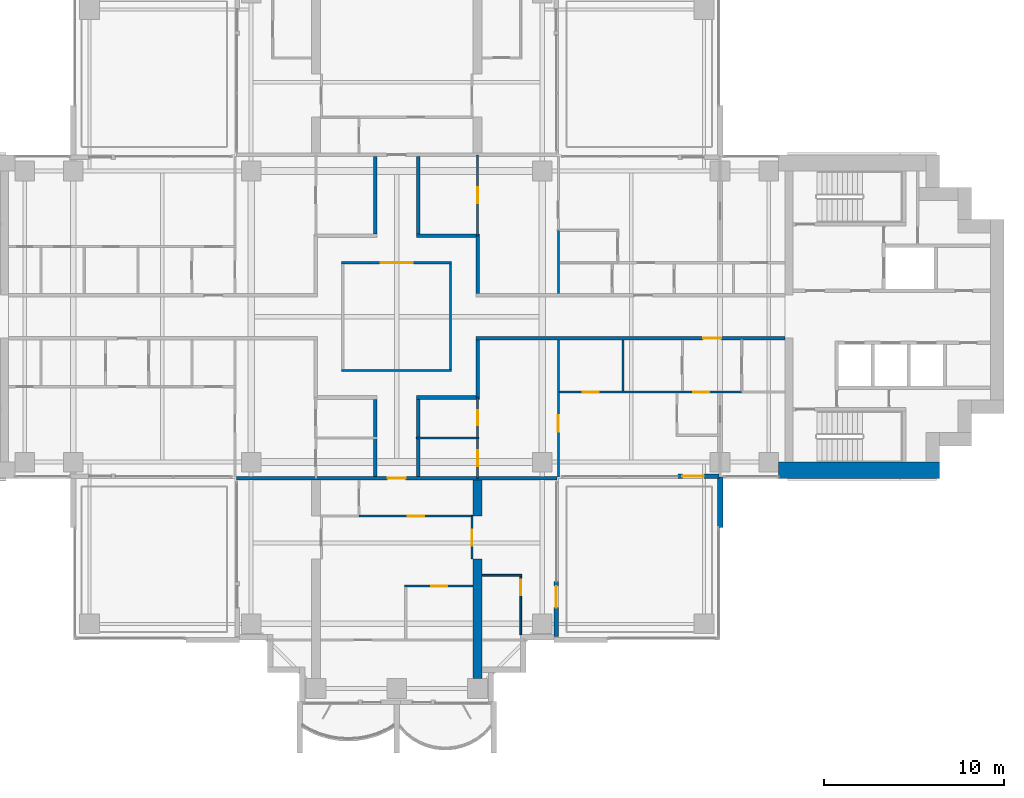
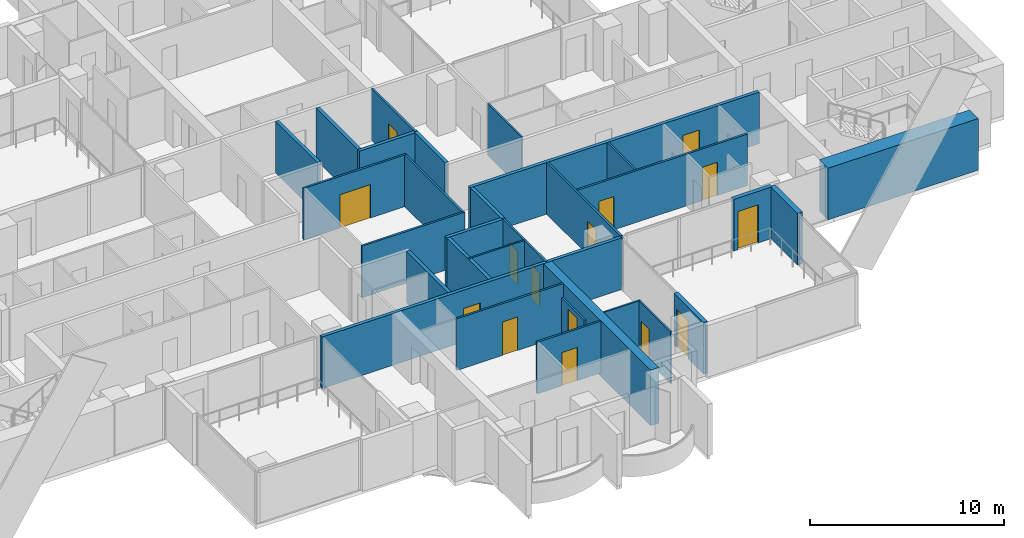
# One storey, part 11 of 19: 31 walls, 15 doors, 15 openings.
"""IFC4 building model written with IfcOpenShell, lengths in metres."""

import ifcopenshell
import ifcopenshell.guid

model = None  # the IFC model being written
_history = None  # IfcOwnerHistory: only IFC2X3 demands one
_inside = {}  # id of a spatial element -> (the spatial element, [elements in it])
_under = {}  # id of a project, library or spatial element -> (it, [spatial elements below it])
_declared = {}  # id of a project -> (the project, [libraries it declares])
_typed = {}  # id of a type object -> (the type object, [elements of that type])
_made_of = {}  # id of a material, layer set ... -> (it, [elements and type objects made of it])


def new_model(schema):
    """Start an empty IFC model of exactly this schema.

    Asked for "IFC4X3", IfcOpenShell would pick the latest addendum, in which some entities
    have other attributes; the version numbers below select the first issue.
    IFC2X3 requires an IfcOwnerHistory on every rooted entity: one is made here for all.
    """
    global model, _history
    if schema == "IFC4X3":
        model = ifcopenshell.file(schema_version=(4, 3, 0, 0))
    else:
        model = ifcopenshell.file(schema=schema)
    _inside.clear()
    _under.clear()
    _declared.clear()
    _typed.clear()
    _made_of.clear()
    _history = None
    if model.schema == "IFC2X3":
        org = make("IfcOrganization", Name="unknown")
        user = make(
            "IfcPersonAndOrganization",
            ThePerson=make("IfcPerson", FamilyName="unknown"),
            TheOrganization=org,
        )
        app = make(
            "IfcApplication",
            ApplicationDeveloper=org,
            Version="unknown",
            ApplicationFullName="unknown",
            ApplicationIdentifier="unknown",
        )
        _history = make(
            "IfcOwnerHistory",
            OwningUser=user,
            OwningApplication=app,
            ChangeAction="ADDED",
            CreationDate=0,
        )
    return model


def make(cls, **values):
    """One entity of the class cls with the attributes given. An attribute that is None is left unset."""
    return model.create_entity(
        cls, **{name: value for name, value in values.items() if value is not None}
    )


def rooted(cls, **values):
    """An entity with a GlobalId (a new one), such as an element, a storey or a relation."""
    return make(cls, GlobalId=ifcopenshell.guid.new(), OwnerHistory=_history, **values)


def si_unit(unit_type, name, prefix=None):
    """IfcSIUnit, for example si_unit("LENGTHUNIT", "METRE", prefix="MILLI")."""
    return make("IfcSIUnit", UnitType=unit_type, Prefix=prefix, Name=name)


def assignment(units):
    """IfcUnitAssignment: the units of a project."""
    return None if units is None else make("IfcUnitAssignment", Units=units)


def point(xyz):
    """IfcCartesianPoint."""
    return None if xyz is None else make("IfcCartesianPoint", Coordinates=xyz)


def direction(xyz):
    """IfcDirection."""
    return None if xyz is None else make("IfcDirection", DirectionRatios=xyz)


def frame(location, z_axis=None, x_axis=None):
    """IfcAxis2Placement3D, a coordinate frame: its origin and axes. An axis left out is left unset."""
    return make(
        "IfcAxis2Placement3D",
        Location=point(location),
        Axis=direction(z_axis),
        RefDirection=direction(x_axis),
    )


def frame_2d(location, x_axis=None):
    """IfcAxis2Placement2D, a coordinate frame in the plane: its origin and x axis."""
    return make(
        "IfcAxis2Placement2D", Location=point(location), RefDirection=direction(x_axis)
    )


def origin():
    """The frame at (0, 0, 0) with its axes left unset."""
    return frame((0.0, 0.0, 0.0))


def place(relative_to, where):
    """IfcLocalPlacement: puts the frame where relative to a parent placement (None: the world)."""
    return make(
        "IfcLocalPlacement", PlacementRelTo=relative_to, RelativePlacement=where
    )


def context(
    kind, dimensions, precision=None, world=None, true_north=None, identifier=None
):
    """IfcGeometricRepresentationContext, for example the 3D "Model" context."""
    return make(
        "IfcGeometricRepresentationContext",
        ContextIdentifier=identifier,
        ContextType=kind,
        CoordinateSpaceDimension=dimensions,
        Precision=precision,
        WorldCoordinateSystem=world,
        TrueNorth=true_north,
    )


def subcontext(parent, identifier, kind, view, scale=None):
    """IfcGeometricRepresentationSubContext, for example "Body" below "Model"."""
    return make(
        "IfcGeometricRepresentationSubContext",
        ContextIdentifier=identifier,
        ContextType=kind,
        ParentContext=parent,
        TargetScale=scale,
        TargetView=view,
    )


def project(units=None, contexts=None):
    """IfcProject with its units and contexts."""
    return rooted(
        "IfcProject",
        Name="project",
        RepresentationContexts=contexts,
        UnitsInContext=assignment(units),
    )


def spatial(cls, under=None, at=None, **own):
    """A site, building, storey or space (cls), placed at a placement, below another one or the project."""
    s = rooted(cls, ObjectPlacement=at, **own)
    if under is not None:
        _under.setdefault(under.id(), (under, []))[1].append(s)
    return s


def polyline(points):
    """IfcPolyline through the points."""
    return make("IfcPolyline", Points=[point(p) for p in points])


def profile(cls, at=None, kind="AREA", **sizes):
    """A parametric profile (cls). Its sizes go by their IFC names, for example OverallWidth=200.0."""
    return make(cls, ProfileType=kind, Position=at, **sizes)


def rectangle(**sizes):
    """IfcRectangleProfileDef."""
    return profile("IfcRectangleProfileDef", **sizes)


def outline(outer, holes=None, kind="AREA"):
    """IfcArbitraryClosedProfileDef: a profile drawn as a closed curve; with holes, ...WithVoids."""
    if holes is None:
        return make("IfcArbitraryClosedProfileDef", ProfileType=kind, OuterCurve=outer)
    return make(
        "IfcArbitraryProfileDefWithVoids",
        ProfileType=kind,
        OuterCurve=outer,
        InnerCurves=holes,
    )


def extrude(swept, where, along, depth):
    """IfcExtrudedAreaSolid: the profile swept, set in the frame where, extruded along a direction by depth."""
    return make(
        "IfcExtrudedAreaSolid",
        SweptArea=swept,
        Position=where,
        ExtrudedDirection=direction(along),
        Depth=depth,
    )


def shape(context_of_items, identifier, shape_type, items):
    """IfcShapeRepresentation: the items that make up one representation, for example the "Body"."""
    return make(
        "IfcShapeRepresentation",
        ContextOfItems=context_of_items,
        RepresentationIdentifier=identifier,
        RepresentationType=shape_type,
        Items=items,
    )


def material(Name=None, Category=None):
    """IfcMaterial."""
    return make("IfcMaterial", Name=Name, Category=Category)


def layer(
    of_material, thickness, ventilated=None, Name=None, Category=None, Priority=None
):
    """IfcMaterialLayer: one layer of a wall or slab, of a material (None: an air gap)."""
    return make(
        "IfcMaterialLayer",
        Material=of_material,
        LayerThickness=thickness,
        IsVentilated=ventilated,
        Name=Name,
        Category=Category,
        Priority=Priority,
    )


def layer_set(layers, Name=None):
    """IfcMaterialLayerSet."""
    return make("IfcMaterialLayerSet", MaterialLayers=layers, LayerSetName=Name)


def material_profile(
    of_material, cross_section, Name=None, Category=None, Priority=None
):
    """IfcMaterialProfile: a cross section and its material."""
    return make(
        "IfcMaterialProfile",
        Name=Name,
        Material=of_material,
        Profile=cross_section,
        Priority=Priority,
        Category=Category,
    )


def profile_set(profiles, Name=None, composite=None):
    """IfcMaterialProfileSet."""
    return make(
        "IfcMaterialProfileSet",
        Name=Name,
        MaterialProfiles=profiles,
        CompositeProfile=composite,
    )


def made_of(thing, what):
    """Note that an element or type object is made of a material, layer set ...; save() writes the relation."""
    if what is not None:
        _made_of.setdefault(what.id(), (what, []))[1].append(thing)
    return thing


def type_object(cls, material=None, **own):
    """A type object (cls), such as IfcWallType, which elements share."""
    return made_of(rooted(cls, **own), material)


def element(
    cls,
    number,
    at=None,
    inside=None,
    cuts=None,
    type_object=None,
    material=None,
    context=None,
    identifier="Body",
    shape_type=None,
    held_by="IfcProductDefinitionShape",
    body=None,
    shapes=None,
    **own,
):
    """One element of the class cls, such as IfcWall. Its Tag is "e" and its number.

    at: its placement. inside: the storey or other place that contains it. cuts: it is an
    opening in that element (IfcRelVoidsElement). A single representation is given by context,
    identifier, shape_type and body (its items); several are given by shapes. held_by: the class
    of the entity that holds the representations. save() writes the other relations.
    """
    e = rooted(cls, Tag="e%d" % number, ObjectPlacement=at, **own)
    if body is not None:
        shapes = [shape(context, identifier, shape_type, body)]
    if shapes is not None:
        e.Representation = make(held_by, Representations=shapes)
    if inside is not None:
        _inside.setdefault(inside.id(), (inside, []))[1].append(e)
    if cuts is not None:
        rooted(
            "IfcRelVoidsElement", RelatingBuildingElement=cuts, RelatedOpeningElement=e
        )
    if type_object is not None:
        _typed.setdefault(type_object.id(), (type_object, []))[1].append(e)
    return made_of(e, material)


def fill(opening, filler):
    """IfcRelFillsElement: the door or window that sits in an opening."""
    return rooted(
        "IfcRelFillsElement",
        RelatingOpeningElement=opening,
        RelatedBuildingElement=filler,
    )


def aggregate(whole, parts):
    """IfcRelAggregates: a whole, such as a stair, and the parts it consists of."""
    return rooted("IfcRelAggregates", RelatingObject=whole, RelatedObjects=parts)


def save(model, path):
    """Write the relations noted so far, then the file.

    IfcRelAggregates (storeys below a building ...), IfcRelContainedInSpatialStructure (elements
    in a storey), IfcRelDefinesByType, IfcRelAssociatesMaterial and IfcRelDeclares: one each for
    every whole, place, type object, material and project.
    """
    for whole, parts in _under.values():
        aggregate(whole, parts)
    for where, things in _inside.values():
        rooted(
            "IfcRelContainedInSpatialStructure",
            RelatedElements=things,
            RelatingStructure=where,
        )
    for kind, things in _typed.values():
        rooted("IfcRelDefinesByType", RelatedObjects=things, RelatingType=kind)
    for what, things in _made_of.values():
        rooted("IfcRelAssociatesMaterial", RelatedObjects=things, RelatingMaterial=what)
    for by, libraries in _declared.values():
        rooted("IfcRelDeclares", RelatingContext=by, RelatedDefinitions=libraries)
    model.write(path)


model = new_model("IFC4")

# Units and contexts
model_context = context("Model", 3, precision=1e-05, world=origin(), true_north=direction((0.0, 1.0)))
body_context = subcontext(model_context, "Body", "Model", "MODEL_VIEW")
ifc_project = project(units=[si_unit("LENGTHUNIT", "METRE"), si_unit("AREAUNIT", "SQUARE_METRE"), si_unit("VOLUMEUNIT", "CUBIC_METRE"), si_unit("PLANEANGLEUNIT", "RADIAN"), si_unit("MASSUNIT", "GRAM", prefix="KILO")], contexts=[model_context])

# Site, building, storey
site_placement = place(None, origin())
site = spatial("IfcSite", under=ifc_project, at=site_placement, CompositionType="ELEMENT")
building_placement = place(site_placement, origin())
building = spatial("IfcBuilding", under=site, at=building_placement, Name="Perihelion Cross Residences", CompositionType="ELEMENT")
storey_placement = place(building_placement, frame((0.0, 0.0, 147.89990234375)))
storey = spatial("IfcBuildingStorey", under=building, at=storey_placement, Name="L36", CompositionType="ELEMENT", Elevation=147.89990234375)

# Walls
ifc_material_1 = material(Name="Plasterboard partition")
ifc_layer_1 = layer(ifc_material_1, 0.199951171875)
ifc_layer_set_1 = layer_set([ifc_layer_1], Name="Apartment separation wall 200")
wall_type_1 = type_object("IfcWallType", Name="Apartment separation wall 200", PredefinedType="PARTITIONING", material=ifc_layer_set_1)
wall_1_placement = place(storey_placement, frame((4.5, 4.5, 0.0), z_axis=(0.0, 0.0, 1.0), x_axis=(0.0, -1.0, 0.0)))
element("IfcWall", 1, at=wall_1_placement, inside=storey, type_object=wall_type_1, Name="Partition L36 W006", PredefinedType="PARTITIONING", context=body_context, shape_type="SweptSolid", body=[
    extrude(rectangle(XDim=3.199951171875, YDim=0.199951171875, at=frame_2d((1.60009765625, 0.0))), origin(), (0.0, 0.0, 1.0), 3.25),
])
wall_2_placement = place(storey_placement, frame((1.199951171875, 8.89990234375, 0.0), z_axis=(0.0, 0.0, 1.0), x_axis=(0.0, -1.0, 0.0)))
element("IfcWall", 2, at=wall_2_placement, inside=storey, type_object=wall_type_1, Name="Partition L36 W007", PredefinedType="PARTITIONING", context=body_context, shape_type="SweptSolid", body=[
    extrude(rectangle(XDim=4.2998046875, YDim=0.199951171875, at=frame_2d((2.14990234375, 0.0))), origin(), (0.0, 0.0, 1.0), 3.25),
])
wall_3_placement = place(storey_placement, frame((1.10009765625, 4.5, 0.0), z_axis=(0.0, 0.0, 1.0), x_axis=(1.0, 0.0, 0.0)))
element("IfcWall", 3, at=wall_3_placement, inside=storey, type_object=wall_type_1, Name="Partition L36 W008", PredefinedType="PARTITIONING", context=body_context, shape_type="SweptSolid", body=[
    extrude(rectangle(XDim=3.5, YDim=0.199951171875, at=frame_2d((1.75, 0.0))), origin(), (0.0, 0.0, 1.0), 3.25),
])

# Wall, opening, door
wall_4_placement = place(storey_placement, frame((21.60009765625, -1.199951171875, 0.0), z_axis=(0.0, 0.0, 1.0), x_axis=(-1.0, 0.0, 0.0)))
wall_4 = element("IfcWall", 4, at=wall_4_placement, inside=storey, type_object=wall_type_1, Name="Partition L36 W009", PredefinedType="PARTITIONING", context=body_context, shape_type="SweptSolid", body=[
    extrude(rectangle(XDim=17.2001953125, YDim=0.199951171875, at=frame_2d((8.60009765625, 0.0))), origin(), (0.0, 0.0, 1.0), 3.25),
])
opening_1_placement = place(wall_4_placement, frame((3.550048828125, 0.0, 0.0)))
opening_1 = element("IfcOpeningElement", 5, at=opening_1_placement, cuts=wall_4, Name="Opening L36.A51", PredefinedType="OPENING", context=body_context, shape_type="SweptSolid", body=[
    extrude(rectangle(XDim=1.0, YDim=2.10009765625, at=frame_2d((0.5, 1.050048828125))), frame((0.0, 0.10986328125, 0.0), z_axis=(0.0, -1.0, 0.0), x_axis=(1.0, 0.0, 0.0)), (0.0, 0.0, 1.0), 0.219970703125),
])
ifc_material_2 = material(Name="Timber door leaf", Category="wood")
door_type_1 = type_object("IfcDoorType", Name="Flat entrance door 1000 x 2100", OperationType="SINGLE_SWING_LEFT", PredefinedType="DOOR", material=ifc_material_2)
door_1_placement = place(opening_1_placement, origin())
door_1 = element("IfcDoor", 6, at=door_1_placement, inside=storey, type_object=door_type_1, Name="Door L36.A51", OperationType="SINGLE_SWING_LEFT", OverallHeight=2.10009765625, OverallWidth=1.0, PredefinedType="DOOR", context=body_context, shape_type="SweptSolid", body=[
    extrude(rectangle(XDim=1.0, YDim=2.10009765625, at=frame_2d((0.5, 1.050048828125))), frame((0.0, 0.02490234375, 0.0), z_axis=(0.0, -1.0, 0.0), x_axis=(1.0, 0.0, 0.0)), (0.0, 0.0, 1.0), 0.050048828125),
])
fill(opening_1, door_1)

# Walls
wall_5_placement = place(storey_placement, frame((4.5, -1.300048828125, 0.0), z_axis=(0.0, 0.0, 1.0), x_axis=(0.0, -1.0, 0.0)))
element("IfcWall", 7, at=wall_5_placement, inside=storey, type_object=wall_type_1, Name="Partition L36 W010", PredefinedType="PARTITIONING", context=body_context, shape_type="SweptSolid", body=[
    extrude(rectangle(XDim=3.199951171875, YDim=0.199951171875, at=frame_2d((1.60009765625, 0.0))), origin(), (0.0, 0.0, 1.0), 3.25),
])
wall_6_placement = place(storey_placement, frame((4.60009765625, -4.5, 0.0), z_axis=(0.0, 0.0, 1.0), x_axis=(-1.0, 0.0, 0.0)))
element("IfcWall", 8, at=wall_6_placement, inside=storey, type_object=wall_type_1, Name="Partition L36 W011", PredefinedType="PARTITIONING", context=body_context, shape_type="SweptSolid", body=[
    extrude(rectangle(XDim=3.5, YDim=0.199951171875, at=frame_2d((1.75, 0.0))), origin(), (0.0, 0.0, 1.0), 3.25),
])
for number, where, z_axis, x_axis, name in (
    (9, (1.199951171875, -4.60009765625, 0.0), (0.0, 0.0, 1.0), (0.0, -1.0, 0.0), "Partition L36 W012"),
    (10, (-1.199951171875, 4.60009765625, 0.0), (0.0, 0.0, 1.0), (0.0, 1.0, 0.0), "Partition L36 W016"),
    (11, (-1.199951171875, -8.89990234375, 0.0), (0.0, 0.0, 1.0), (0.0, 1.0, 0.0), "Partition L36 W019"),
):
    element("IfcWall", number, at=place(storey_placement, frame(where, z_axis=z_axis, x_axis=x_axis)), inside=storey, type_object=wall_type_1, Name=name, PredefinedType="PARTITIONING", context=body_context, shape_type="SweptSolid", body=[
        extrude(rectangle(XDim=4.2998046875, YDim=0.199951171875, at=frame_2d((2.14990234375, 0.0))), origin(), (0.0, 0.0, 1.0), 3.25),
    ])

# Wall, opening, door
wall_7_placement = place(storey_placement, frame((8.919921875, -9.0, 0.0), z_axis=(0.0, 0.0, 1.0), x_axis=(-1.0, 0.0, 0.0)))
wall_7 = element("IfcWall", 12, at=wall_7_placement, inside=storey, type_object=wall_type_1, Name="Partition L36 W022", PredefinedType="PARTITIONING", context=body_context, shape_type="SweptSolid", body=[
    extrude(rectangle(XDim=17.83984375, YDim=0.199951171875, at=frame_2d((8.919921875, 0.0))), origin(), (0.0, 0.0, 1.0), 3.25),
])
opening_2_placement = place(wall_7_placement, frame((8.419921875, 0.0, 0.0)))
opening_2 = element("IfcOpeningElement", 13, at=opening_2_placement, cuts=wall_7, Name="Opening L36.A44", PredefinedType="OPENING", context=body_context, shape_type="SweptSolid", body=[
    extrude(rectangle(XDim=1.0, YDim=2.10009765625, at=frame_2d((0.5, 1.050048828125))), frame((0.0, 0.10986328125, 0.0), z_axis=(0.0, -1.0, 0.0), x_axis=(1.0, 0.0, 0.0)), (0.0, 0.0, 1.0), 0.219970703125),
])
door_2_placement = place(opening_2_placement, origin())
door_2 = element("IfcDoor", 14, at=door_2_placement, inside=storey, type_object=door_type_1, Name="Door L36.A44", OperationType="SINGLE_SWING_RIGHT", OverallHeight=2.10009765625, OverallWidth=1.0, PredefinedType="DOOR", context=body_context, shape_type="SweptSolid", body=[
    extrude(rectangle(XDim=1.0, YDim=2.10009765625, at=frame_2d((0.5, 1.050048828125))), frame((0.0, 0.02490234375, 0.0), z_axis=(0.0, -1.0, 0.0), x_axis=(1.0, 0.0, 0.0)), (0.0, 0.0, 1.0), 0.050048828125),
])
fill(opening_2, door_2)

ifc_material_3 = material(Name="Concrete C30/37, bronze-clad", Category="concrete")
ifc_layer_2 = layer(ifc_material_3, 0.25)
ifc_layer_set_2 = layer_set([ifc_layer_2], Name="Bronze-clad pier wall 250")
wall_type_2 = type_object("IfcWallType", Name="Bronze-clad pier wall 250", PredefinedType="SOLIDWALL", material=ifc_layer_set_2)
wall_8_placement = place(storey_placement, frame((8.875, -17.800048828125, 0.0), z_axis=(0.0, 0.0, 1.0), x_axis=(0.0, 1.0, 0.0)))
wall_8 = element("IfcWall", 15, at=wall_8_placement, inside=storey, type_object=wall_type_2, Name="Wall FW1 L36 south side east bay 1 pier", PredefinedType="SOLIDWALL", context=body_context, shape_type="SweptSolid", body=[
    extrude(rectangle(XDim=3.050048828125, YDim=0.25, at=frame_2d((1.52490234375, 0.0))), origin(), (0.0, 0.0, 1.0), 3.25),
])
opening_3_placement = place(wall_8_placement, frame((1.60009765625, 0.0, 0.0)))
opening_3 = element("IfcOpeningElement", 16, at=opening_3_placement, cuts=wall_8, Name="Opening L36.E13", PredefinedType="OPENING", context=body_context, shape_type="SweptSolid", body=[
    extrude(rectangle(XDim=1.199951171875, YDim=2.39990234375, at=frame_2d((0.60009765625, 1.199951171875))), frame((0.0, 0.135009765625, 0.0), z_axis=(0.0, -1.0, 0.0), x_axis=(1.0, 0.0, 0.0)), (0.0, 0.0, 1.0), 0.27001953125),
])
ifc_material_4 = material(Name="Bronze anodised aluminium, glazed", Category="aluminium")
door_type_2 = type_object("IfcDoorType", Name="Balcony door 1200 x 2400", OperationType="NOTDEFINED", PredefinedType="DOOR", material=ifc_material_4)
door_3_placement = place(opening_3_placement, origin())
door_3 = element("IfcDoor", 17, at=door_3_placement, inside=storey, type_object=door_type_2, Name="Door L36.E13 south side east bay 1", OperationType="SINGLE_SWING_RIGHT", OverallHeight=2.39990234375, OverallWidth=1.199951171875, PredefinedType="DOOR", context=body_context, shape_type="SweptSolid", body=[
    extrude(rectangle(XDim=1.199951171875, YDim=2.39990234375, at=frame_2d((0.60009765625, 1.199951171875))), frame((0.0, 0.02490234375, 0.0), z_axis=(0.0, -1.0, 0.0), x_axis=(1.0, 0.0, 0.0)), (0.0, 0.0, 1.0), 0.050048828125),
])
fill(opening_3, door_3)

wall_9_placement = place(storey_placement, frame((15.64990234375, -8.875, 0.0), z_axis=(0.0, 0.0, 1.0), x_axis=(1.0, 0.0, 0.0)))
wall_9 = element("IfcWall", 18, at=wall_9_placement, inside=storey, type_object=wall_type_2, Name="Wall FW1 L36 east side south bay 1 pier", PredefinedType="SOLIDWALL", context=body_context, shape_type="SweptSolid", body=[
    extrude(rectangle(XDim=2.2900390625, YDim=0.25, at=frame_2d((1.14501953125, 0.0))), origin(), (0.0, 0.0, 1.0), 3.25),
])
opening_4_placement = place(wall_9_placement, frame((0.25, 0.0, 0.0)))
opening_4 = element("IfcOpeningElement", 19, at=opening_4_placement, cuts=wall_9, Name="Opening L36.E14", PredefinedType="OPENING", context=body_context, shape_type="SweptSolid", body=[
    extrude(rectangle(XDim=1.199951171875, YDim=2.39990234375, at=frame_2d((0.60009765625, 1.199951171875))), frame((0.0, 0.135009765625, 0.0), z_axis=(0.0, -1.0, 0.0), x_axis=(1.0, 0.0, 0.0)), (0.0, 0.0, 1.0), 0.27001953125),
])
door_4_placement = place(opening_4_placement, origin())
door_4 = element("IfcDoor", 20, at=door_4_placement, inside=storey, type_object=door_type_2, Name="Door L36.E14 east side south bay 1", OperationType="SINGLE_SWING_LEFT", OverallHeight=2.39990234375, OverallWidth=1.199951171875, PredefinedType="DOOR", context=body_context, shape_type="SweptSolid", body=[
    extrude(rectangle(XDim=1.199951171875, YDim=2.39990234375, at=frame_2d((0.60009765625, 1.199951171875))), frame((0.0, 0.02490234375, 0.0), z_axis=(0.0, -1.0, 0.0), x_axis=(1.0, 0.0, 0.0)), (0.0, 0.0, 1.0), 0.050048828125),
])
fill(opening_4, door_4)

# Wall
ifc_material_5 = material(Name="Concrete C60/75", Category="concrete")
ifc_layer_3 = layer(ifc_material_5, 0.89990234375)
ifc_layer_set_3 = layer_set([ifc_layer_3], Name="Core wall, outer 900")
wall_type_3 = type_object("IfcWallType", Name="Core wall, outer 900", PredefinedType="SHEAR", material=ifc_layer_set_3)
wall_10_placement = place(storey_placement, frame((21.25, -8.550048828125, 0.0), z_axis=(0.0, 0.0, 1.0), x_axis=(1.0, 0.0, 0.0)))
element("IfcWall", 21, at=wall_10_placement, inside=storey, type_object=wall_type_3, Name="East core core wall, outer", PredefinedType="SHEAR", context=body_context, shape_type="SweptSolid", body=[
    extrude(rectangle(XDim=8.949951171875, YDim=0.89990234375, at=frame_2d((4.47509765625, 0.0))), origin(), (0.0, 0.0, 1.0), 3.25),
])

# Wall, opening, door
ifc_material_6 = material(Name="Plasterboard partition")
ifc_layer_4 = layer(ifc_material_6, 0.1201171875)
ifc_layer_set_4 = layer_set([ifc_layer_4], Name="Infill panel 120")
wall_type_4 = type_object("IfcWallType", Name="Infill panel 120", PredefinedType="PARTITIONING", material=ifc_layer_set_4)
wall_11_placement = place(storey_placement, frame((4.18994140625, -11.10009765625, 0.0), z_axis=(0.0, 0.0, 1.0), x_axis=(0.0, -1.0, 0.0)))
wall_11 = element("IfcWall", 22, at=wall_11_placement, inside=storey, type_object=wall_type_4, Name="Partition L36 WI05", PredefinedType="PARTITIONING", context=body_context, shape_type="SweptSolid", body=[
    extrude(rectangle(XDim=2.39990234375, YDim=0.1201171875, at=frame_2d((1.199951171875, 0.0))), origin(), (0.0, 0.0, 1.0), 2.400146484375),
])
opening_5_placement = place(wall_11_placement, frame((0.75, 0.0, 0.0)))
opening_5 = element("IfcOpeningElement", 23, at=opening_5_placement, cuts=wall_11, Name="Opening L36.A58", PredefinedType="OPENING", context=body_context, shape_type="SweptSolid", body=[
    extrude(rectangle(XDim=0.89990234375, YDim=2.10009765625, at=frame_2d((0.449951171875, 1.050048828125))), frame((0.0, 0.070068359375, 0.0), z_axis=(0.0, -1.0, 0.0), x_axis=(1.0, 0.0, 0.0)), (0.0, 0.0, 1.0), 0.14013671875),
])
ifc_material_7 = material(Name="Timber door leaf", Category="wood")
door_type_3 = type_object("IfcDoorType", Name="Interior room door 900 x 2100", OperationType="SINGLE_SWING_LEFT", PredefinedType="DOOR", material=ifc_material_7)
door_5_placement = place(opening_5_placement, origin())
door_5 = element("IfcDoor", 24, at=door_5_placement, inside=storey, type_object=door_type_3, Name="Door L36.A58", OperationType="SINGLE_SWING_LEFT", OverallHeight=2.10009765625, OverallWidth=0.89990234375, PredefinedType="DOOR", context=body_context, shape_type="SweptSolid", body=[
    extrude(rectangle(XDim=0.89990234375, YDim=2.10009765625, at=frame_2d((0.449951171875, 1.050048828125))), frame((0.0, 0.02490234375, 0.0), z_axis=(0.0, -1.0, 0.0), x_axis=(1.0, 0.0, 0.0)), (0.0, 0.0, 1.0), 0.050048828125),
])
fill(opening_5, door_5)

# Walls
ifc_material_8 = material(Name="Plasterboard partition")
ifc_layer_5 = layer(ifc_material_8, 0.1201171875)
ifc_layer_set_5 = layer_set([ifc_layer_5], Name="Partition wall 120")
wall_type_5 = type_object("IfcWallType", Name="Partition wall 120", PredefinedType="PARTITIONING", material=ifc_layer_set_5)
wall_12_placement = place(storey_placement, frame((-3.06005859375, -3.0, 0.0), z_axis=(0.0, 0.0, 1.0), x_axis=(1.0, 0.0, 0.0)))
element("IfcWall", 25, at=wall_12_placement, inside=storey, type_object=wall_type_5, Name="Partition L36 W001", PredefinedType="PARTITIONING", context=body_context, shape_type="SweptSolid", body=[
    extrude(rectangle(XDim=6.1201171875, YDim=0.1201171875, at=frame_2d((3.06005859375, 0.0))), origin(), (0.0, 0.0, 1.0), 3.25),
])
wall_13_placement = place(storey_placement, frame((3.0, -2.93994140625, 0.0), z_axis=(0.0, 0.0, 1.0), x_axis=(0.0, 1.0, 0.0)))
element("IfcWall", 26, at=wall_13_placement, inside=storey, type_object=wall_type_5, Name="Partition L36 W002", PredefinedType="PARTITIONING", context=body_context, shape_type="SweptSolid", body=[
    extrude(rectangle(XDim=5.8798828125, YDim=0.1201171875, at=frame_2d((2.93994140625, 0.0))), origin(), (0.0, 0.0, 1.0), 3.25),
])

# Wall, opening, door
wall_14_placement = place(storey_placement, frame((3.06005859375, 3.0, 0.0), z_axis=(0.0, 0.0, 1.0), x_axis=(-1.0, 0.0, 0.0)))
wall_14 = element("IfcWall", 27, at=wall_14_placement, inside=storey, type_object=wall_type_5, Name="Partition L36 W003", PredefinedType="PARTITIONING", context=body_context, shape_type="SweptSolid", body=[
    extrude(rectangle(XDim=6.1201171875, YDim=0.1201171875, at=frame_2d((3.06005859375, 0.0))), origin(), (0.0, 0.0, 1.0), 3.25),
])
opening_6_placement = place(wall_14_placement, frame((2.159912109375, 0.0, 0.0)))
opening_6 = element("IfcOpeningElement", 28, at=opening_6_placement, cuts=wall_14, Name="Opening L36.A01", PredefinedType="OPENING", context=body_context, shape_type="SweptSolid", body=[
    extrude(rectangle(XDim=1.800048828125, YDim=2.10009765625, at=frame_2d((0.89990234375, 1.050048828125))), frame((0.0, 0.070068359375, 0.0), z_axis=(0.0, -1.0, 0.0), x_axis=(1.0, 0.0, 0.0)), (0.0, 0.0, 1.0), 0.14013671875),
])
ifc_material_9 = material(Name="Glazed timber door leaf", Category="wood")
door_type_4 = type_object("IfcDoorType", Name="Interior double leaf door 1800 x 2100", OperationType="DOUBLE_DOOR_SINGLE_SWING", PredefinedType="DOOR", material=ifc_material_9)
door_6_placement = place(opening_6_placement, origin())
door_6 = element("IfcDoor", 29, at=door_6_placement, inside=storey, type_object=door_type_4, Name="Door L36.A01", OperationType="SINGLE_SWING_LEFT", OverallHeight=2.10009765625, OverallWidth=1.800048828125, PredefinedType="DOOR", context=body_context, shape_type="SweptSolid", body=[
    extrude(rectangle(XDim=1.800048828125, YDim=2.10009765625, at=frame_2d((0.89990234375, 1.050048828125))), frame((0.0, 0.02490234375, 0.0), z_axis=(0.0, -1.0, 0.0), x_axis=(1.0, 0.0, 0.0)), (0.0, 0.0, 1.0), 0.050048828125),
])
fill(opening_6, door_6)

wall_15_placement = place(storey_placement, frame((4.5, 4.5, 0.0), z_axis=(0.0, 0.0, 1.0), x_axis=(0.0, 1.0, 0.0)))
wall_15 = element("IfcWall", 30, at=wall_15_placement, inside=storey, type_object=wall_type_5, Name="Partition L36 W033", PredefinedType="PARTITIONING", context=body_context, shape_type="SweptSolid", body=[
    extrude(rectangle(XDim=4.5, YDim=0.1201171875, at=frame_2d((2.25, 0.0))), origin(), (0.0, 0.0, 1.0), 3.25),
])
opening_7_placement = place(wall_15_placement, frame((1.800048828125, 0.0, 0.0)))
opening_7 = element("IfcOpeningElement", 31, at=opening_7_placement, cuts=wall_15, Name="Opening L36.A03", PredefinedType="OPENING", context=body_context, shape_type="SweptSolid", body=[
    extrude(rectangle(XDim=0.89990234375, YDim=2.10009765625, at=frame_2d((0.449951171875, 1.050048828125))), frame((0.0, 0.070068359375, 0.0), z_axis=(0.0, -1.0, 0.0), x_axis=(1.0, 0.0, 0.0)), (0.0, 0.0, 1.0), 0.14013671875),
])
door_7_placement = place(opening_7_placement, origin())
door_7 = element("IfcDoor", 32, at=door_7_placement, inside=storey, type_object=door_type_3, Name="Door L36.A03", OperationType="SINGLE_SWING_LEFT", OverallHeight=2.10009765625, OverallWidth=0.89990234375, PredefinedType="DOOR", context=body_context, shape_type="SweptSolid", body=[
    extrude(rectangle(XDim=0.89990234375, YDim=2.10009765625, at=frame_2d((0.449951171875, 1.050048828125))), frame((0.0, 0.02490234375, 0.0), z_axis=(0.0, -1.0, 0.0), x_axis=(1.0, 0.0, 0.0)), (0.0, 0.0, 1.0), 0.050048828125),
])
fill(opening_7, door_7)

# Wall
wall_16_placement = place(storey_placement, frame((12.60009765625, -1.300048828125, 0.0), z_axis=(0.0, 0.0, 1.0), x_axis=(0.0, -1.0, 0.0)))
element("IfcWall", 33, at=wall_16_placement, inside=storey, type_object=wall_type_5, Name="Partition L36 W034", PredefinedType="PARTITIONING", context=body_context, shape_type="SweptSolid", body=[
    extrude(rectangle(XDim=2.83984375, YDim=0.1201171875, at=frame_2d((1.419921875, 0.0))), origin(), (0.0, 0.0, 1.0), 3.25),
])

# Wall, openings, doors
wall_17_placement = place(storey_placement, frame((19.199951171875, -4.199951171875, 0.0), z_axis=(0.0, 0.0, 1.0), x_axis=(-1.0, 0.0, 0.0)))
wall_17 = element("IfcWall", 34, at=wall_17_placement, inside=storey, type_object=wall_type_5, Name="Partition L36 W035", PredefinedType="PARTITIONING", context=body_context, shape_type="SweptSolid", body=[
    extrude(rectangle(XDim=10.260009765625, YDim=0.1201171875, at=frame_2d((5.1298828125, 0.0))), origin(), (0.0, 0.0, 1.0), 3.25),
])
opening_8_placement = place(wall_17_placement, frame((1.800048828125, 0.0, 0.0)))
opening_8 = element("IfcOpeningElement", 35, at=opening_8_placement, cuts=wall_17, Name="Opening L36.A17", PredefinedType="OPENING", context=body_context, shape_type="SweptSolid", body=[
    extrude(rectangle(XDim=0.89990234375, YDim=2.10009765625, at=frame_2d((0.449951171875, 1.050048828125))), frame((0.0, 0.070068359375, 0.0), z_axis=(0.0, -1.0, 0.0), x_axis=(1.0, 0.0, 0.0)), (0.0, 0.0, 1.0), 0.14013671875),
])
opening_9_placement = place(wall_17_placement, frame((7.949951171875, 0.0, 0.0)))
opening_9 = element("IfcOpeningElement", 36, at=opening_9_placement, cuts=wall_17, Name="Opening L36.A18", PredefinedType="OPENING", context=body_context, shape_type="SweptSolid", body=[
    extrude(rectangle(XDim=0.89990234375, YDim=2.10009765625, at=frame_2d((0.449951171875, 1.050048828125))), frame((0.0, 0.070068359375, 0.0), z_axis=(0.0, -1.0, 0.0), x_axis=(1.0, 0.0, 0.0)), (0.0, 0.0, 1.0), 0.14013671875),
])
door_8_placement = place(opening_8_placement, origin())
door_8 = element("IfcDoor", 37, at=door_8_placement, inside=storey, type_object=door_type_3, Name="Door L36.A17", OperationType="SINGLE_SWING_LEFT", OverallHeight=2.10009765625, OverallWidth=0.89990234375, PredefinedType="DOOR", context=body_context, shape_type="SweptSolid", body=[
    extrude(rectangle(XDim=0.89990234375, YDim=2.10009765625, at=frame_2d((0.449951171875, 1.050048828125))), frame((0.0, 0.02490234375, 0.0), z_axis=(0.0, -1.0, 0.0), x_axis=(1.0, 0.0, 0.0)), (0.0, 0.0, 1.0), 0.050048828125),
])
fill(opening_8, door_8)
door_9_placement = place(opening_9_placement, origin())
door_9 = element("IfcDoor", 38, at=door_9_placement, inside=storey, type_object=door_type_3, Name="Door L36.A18", OperationType="SINGLE_SWING_RIGHT", OverallHeight=2.10009765625, OverallWidth=0.89990234375, PredefinedType="DOOR", context=body_context, shape_type="SweptSolid", body=[
    extrude(rectangle(XDim=0.89990234375, YDim=2.10009765625, at=frame_2d((0.449951171875, 1.050048828125))), frame((0.0, 0.02490234375, 0.0), z_axis=(0.0, -1.0, 0.0), x_axis=(1.0, 0.0, 0.0)), (0.0, 0.0, 1.0), 0.050048828125),
])
fill(opening_9, door_9)

# Wall, opening, door
wall_18_placement = place(storey_placement, frame((9.0, -8.919921875, 0.0), z_axis=(0.0, 0.0, 1.0), x_axis=(0.0, 1.0, 0.0)))
wall_18 = element("IfcWall", 39, at=wall_18_placement, inside=storey, type_object=wall_type_5, Name="Partition L36 W036", PredefinedType="PARTITIONING", context=body_context, shape_type="SweptSolid", body=[
    extrude(rectangle(XDim=7.619873046875, YDim=0.1201171875, at=frame_2d((3.81005859375, 0.0))), origin(), (0.0, 0.0, 1.0), 3.25),
])
opening_10_placement = place(wall_18_placement, frame((2.52001953125, 0.0, 0.0)))
opening_10 = element("IfcOpeningElement", 40, at=opening_10_placement, cuts=wall_18, Name="Opening L36.A12", PredefinedType="OPENING", context=body_context, shape_type="SweptSolid", body=[
    extrude(rectangle(XDim=0.89990234375, YDim=2.10009765625, at=frame_2d((0.449951171875, 1.050048828125))), frame((0.0, 0.070068359375, 0.0), z_axis=(0.0, -1.0, 0.0), x_axis=(1.0, 0.0, 0.0)), (0.0, 0.0, 1.0), 0.14013671875),
])
door_10_placement = place(opening_10_placement, origin())
door_10 = element("IfcDoor", 41, at=door_10_placement, inside=storey, type_object=door_type_3, Name="Door L36.A12", OperationType="SINGLE_SWING_RIGHT", OverallHeight=2.10009765625, OverallWidth=0.89990234375, PredefinedType="DOOR", context=body_context, shape_type="SweptSolid", body=[
    extrude(rectangle(XDim=0.89990234375, YDim=2.10009765625, at=frame_2d((0.449951171875, 1.050048828125))), frame((0.0, 0.02490234375, 0.0), z_axis=(0.0, -1.0, 0.0), x_axis=(1.0, 0.0, 0.0)), (0.0, 0.0, 1.0), 0.050048828125),
])
fill(opening_10, door_10)

wall_19_placement = place(storey_placement, frame((4.5, -9.0, 0.0), z_axis=(0.0, 0.0, 1.0), x_axis=(0.0, 1.0, 0.0)))
wall_19 = element("IfcWall", 42, at=wall_19_placement, inside=storey, type_object=wall_type_5, Name="Partition L36 W044", PredefinedType="PARTITIONING", context=body_context, shape_type="SweptSolid", body=[
    extrude(rectangle(XDim=2.25, YDim=0.1201171875, at=frame_2d((1.125, 0.0))), origin(), (0.0, 0.0, 1.0), 3.25),
])
opening_11_placement = place(wall_19_placement, frame((0.675048828125, 0.0, 0.0)))
opening_11 = element("IfcOpeningElement", 43, at=opening_11_placement, cuts=wall_19, Name="Opening L36.A14", PredefinedType="OPENING", context=body_context, shape_type="SweptSolid", body=[
    extrude(rectangle(XDim=0.89990234375, YDim=2.10009765625, at=frame_2d((0.449951171875, 1.050048828125))), frame((0.0, 0.070068359375, 0.0), z_axis=(0.0, -1.0, 0.0), x_axis=(1.0, 0.0, 0.0)), (0.0, 0.0, 1.0), 0.14013671875),
])
door_11_placement = place(opening_11_placement, origin())
door_11 = element("IfcDoor", 44, at=door_11_placement, inside=storey, type_object=door_type_3, Name="Door L36.A14", OperationType="SINGLE_SWING_LEFT", OverallHeight=2.10009765625, OverallWidth=0.89990234375, PredefinedType="DOOR", context=body_context, shape_type="SweptSolid", body=[
    extrude(rectangle(XDim=0.89990234375, YDim=2.10009765625, at=frame_2d((0.449951171875, 1.050048828125))), frame((0.0, 0.02490234375, 0.0), z_axis=(0.0, -1.0, 0.0), x_axis=(1.0, 0.0, 0.0)), (0.0, 0.0, 1.0), 0.050048828125),
])
fill(opening_11, door_11)

wall_20_placement = place(storey_placement, frame((4.25, -11.10009765625, 0.0), z_axis=(0.0, 0.0, 1.0), x_axis=(-1.0, 0.0, 0.0)))
wall_20 = element("IfcWall", 45, at=wall_20_placement, inside=storey, type_object=wall_type_5, Name="Partition L36 W088", PredefinedType="PARTITIONING", context=body_context, shape_type="SweptSolid", body=[
    extrude(rectangle(XDim=6.35009765625, YDim=0.1201171875, at=frame_2d((3.175048828125, 0.0))), origin(), (0.0, 0.0, 1.0), 3.25),
])
opening_12_placement = place(wall_20_placement, frame((2.72509765625, 0.0, 0.0)))
opening_12 = element("IfcOpeningElement", 46, at=opening_12_placement, cuts=wall_20, Name="Opening L36.A46", PredefinedType="OPENING", context=body_context, shape_type="SweptSolid", body=[
    extrude(rectangle(XDim=0.89990234375, YDim=2.10009765625, at=frame_2d((0.449951171875, 1.050048828125))), frame((0.0, 0.070068359375, 0.0), z_axis=(0.0, -1.0, 0.0), x_axis=(1.0, 0.0, 0.0)), (0.0, 0.0, 1.0), 0.14013671875),
])
door_12_placement = place(opening_12_placement, origin())
door_12 = element("IfcDoor", 47, at=door_12_placement, inside=storey, type_object=door_type_3, Name="Door L36.A46", OperationType="SINGLE_SWING_LEFT", OverallHeight=2.10009765625, OverallWidth=0.89990234375, PredefinedType="DOOR", context=body_context, shape_type="SweptSolid", body=[
    extrude(rectangle(XDim=0.89990234375, YDim=2.10009765625, at=frame_2d((0.449951171875, 1.050048828125))), frame((0.0, 0.02490234375, 0.0), z_axis=(0.0, -1.0, 0.0), x_axis=(1.0, 0.0, 0.0)), (0.0, 0.0, 1.0), 0.050048828125),
])
fill(opening_12, door_12)

wall_21_placement = place(storey_placement, frame((4.25, -15.0, 0.0), z_axis=(0.0, 0.0, 1.0), x_axis=(-1.0, 0.0, 0.0)))
wall_21 = element("IfcWall", 48, at=wall_21_placement, inside=storey, type_object=wall_type_5, Name="Partition L36 W090", PredefinedType="PARTITIONING", context=body_context, shape_type="SweptSolid", body=[
    extrude(rectangle(XDim=3.81005859375, YDim=0.1201171875, at=frame_2d((1.905029296875, 0.0))), origin(), (0.0, 0.0, 1.0), 3.25),
])
opening_13_placement = place(wall_21_placement, frame((1.425048828125, 0.0, 0.0)))
opening_13 = element("IfcOpeningElement", 49, at=opening_13_placement, cuts=wall_21, Name="Opening L36.A47", PredefinedType="OPENING", context=body_context, shape_type="SweptSolid", body=[
    extrude(rectangle(XDim=0.89990234375, YDim=2.10009765625, at=frame_2d((0.449951171875, 1.050048828125))), frame((0.0, 0.070068359375, 0.0), z_axis=(0.0, -1.0, 0.0), x_axis=(1.0, 0.0, 0.0)), (0.0, 0.0, 1.0), 0.14013671875),
])
door_13_placement = place(opening_13_placement, origin())
door_13 = element("IfcDoor", 50, at=door_13_placement, inside=storey, type_object=door_type_3, Name="Door L36.A47", OperationType="SINGLE_SWING_RIGHT", OverallHeight=2.10009765625, OverallWidth=0.89990234375, PredefinedType="DOOR", context=body_context, shape_type="SweptSolid", body=[
    extrude(rectangle(XDim=0.89990234375, YDim=2.10009765625, at=frame_2d((0.449951171875, 1.050048828125))), frame((0.0, 0.02490234375, 0.0), z_axis=(0.0, -1.0, 0.0), x_axis=(1.0, 0.0, 0.0)), (0.0, 0.0, 1.0), 0.050048828125),
])
fill(opening_13, door_13)

# Walls
ifc_material_10 = material(Name="Precast concrete C50/60", Category="concrete")
ifc_layer_6 = layer(ifc_material_10, 0.300048828125)
ifc_layer_set_6 = layer_set([ifc_layer_6], Name="Precast concrete C50/60 blade wall 300")
wall_type_6 = type_object("IfcWallType", Name="Precast concrete C50/60 blade wall 300", PredefinedType="SOLIDWALL", material=ifc_layer_set_6)
wall_22_placement = place(storey_placement, frame((18.0, -8.919921875, 0.0), z_axis=(0.0, 0.0, 1.0), x_axis=(0.0, -1.0, 0.0)))
element("IfcWall", 51, at=wall_22_placement, inside=storey, type_object=wall_type_6, Name="Wall BL1 L36 no. 10", PredefinedType="SOLIDWALL", context=body_context, shape_type="SweptSolid", body=[
    extrude(rectangle(XDim=2.820068359375, YDim=0.300048828125, at=frame_2d((1.41015625, 0.0))), origin(), (0.0, 0.0, 1.0), 3.25),
])
ifc_material_11 = material(Name="Concrete C60/75", Category="concrete")
ifc_material_profile = material_profile(ifc_material_11, outline(polyline([(0.0, 0.0), (6.64990234375, 0.0), (6.64990234375, 2.64990234375), (9.050048828125, 2.64990234375), (9.050048828125, 0.0), (11.14990234375, 0.0), (11.14990234375, 3.5), (0.0, 3.5), (0.0, 0.0)])), Name="Tip spine wall")
ifc_profile_set = profile_set([ifc_material_profile], Name="Concrete C60/75")
wall_type_7 = type_object("IfcWallType", Name="Tip spine wall 500 with 1 door openings 11150 long 3500 high concrete C60/75", PredefinedType="SHEAR", material=ifc_profile_set)
wall_23_placement = place(storey_placement, frame((4.25, -20.14990234375, -0.25), z_axis=(1.0, 0.0, 0.0), x_axis=(0.0, 1.0, 0.0)))
element("IfcWall", 52, at=wall_23_placement, inside=storey, type_object=wall_type_7, Name="Shear wall SW33 L36 south east", PredefinedType="SHEAR", context=body_context, shape_type="SweptSolid", body=[
    extrude(outline(polyline([(0.0, 0.0), (6.64990234375, 0.0), (6.64990234375, 2.64990234375), (9.050048828125, 2.64990234375), (9.050048828125, 0.0), (11.14990234375, 0.0), (11.14990234375, 3.5), (0.0, 3.5), (0.0, 0.0)])), origin(), (0.0, 0.0, 1.0), 0.5),
])
ifc_material_12 = material(Name="Plasterboard partition")
ifc_layer_7 = layer(ifc_material_12, 0.10009765625)
ifc_layer_set_7 = layer_set([ifc_layer_7], Name="Wet room wall 100")
wall_type_8 = type_object("IfcWallType", Name="Wet room wall 100", PredefinedType="PARTITIONING", material=ifc_layer_set_7)
wall_24_placement = place(storey_placement, frame((9.0, 1.300048828125, 0.0), z_axis=(0.0, 0.0, 1.0), x_axis=(0.0, 1.0, 0.0)))
element("IfcWall", 53, at=wall_24_placement, inside=storey, type_object=wall_type_8, Name="Partition L36 W025", PredefinedType="PARTITIONING", context=body_context, shape_type="SweptSolid", body=[
    extrude(rectangle(XDim=3.5, YDim=0.10009765625, at=frame_2d((1.75, 0.0))), origin(), (0.0, 0.0, 1.0), 3.25),
])

# Wall, opening, door
wall_25_placement = place(storey_placement, frame((4.5, -6.75, 0.0), z_axis=(0.0, 0.0, 1.0), x_axis=(0.0, 1.0, 0.0)))
wall_25 = element("IfcWall", 54, at=wall_25_placement, inside=storey, type_object=wall_type_8, Name="Partition L36 W043", PredefinedType="PARTITIONING", context=body_context, shape_type="SweptSolid", body=[
    extrude(rectangle(XDim=2.25, YDim=0.10009765625, at=frame_2d((1.125, 0.0))), origin(), (0.0, 0.0, 1.0), 3.25),
])
opening_14_placement = place(wall_25_placement, frame((0.699951171875, 0.0, 0.0)))
opening_14 = element("IfcOpeningElement", 55, at=opening_14_placement, cuts=wall_25, Name="Opening L36.A10", PredefinedType="OPENING", context=body_context, shape_type="SweptSolid", body=[
    extrude(rectangle(XDim=0.85009765625, YDim=2.10009765625, at=frame_2d((0.425048828125, 1.050048828125))), frame((0.0, 0.06005859375, 0.0), z_axis=(0.0, -1.0, 0.0), x_axis=(1.0, 0.0, 0.0)), (0.0, 0.0, 1.0), 0.1201171875),
])
ifc_material_13 = material(Name="Timber door leaf", Category="wood")
door_type_5 = type_object("IfcDoorType", Name="Interior bathroom door 850 x 2100", OperationType="SINGLE_SWING_LEFT", PredefinedType="DOOR", material=ifc_material_13)
door_14_placement = place(opening_14_placement, origin())
door_14 = element("IfcDoor", 56, at=door_14_placement, inside=storey, type_object=door_type_5, Name="Door L36.A10", OperationType="SINGLE_SWING_RIGHT", OverallHeight=2.10009765625, OverallWidth=0.85009765625, PredefinedType="DOOR", context=body_context, shape_type="SweptSolid", body=[
    extrude(rectangle(XDim=0.85009765625, YDim=2.10009765625, at=frame_2d((0.425048828125, 1.050048828125))), frame((0.0, 0.02490234375, 0.0), z_axis=(0.0, -1.0, 0.0), x_axis=(1.0, 0.0, 0.0)), (0.0, 0.0, 1.0), 0.050048828125),
])
fill(opening_14, door_14)

# Wall
wall_26_placement = place(storey_placement, frame((4.56005859375, -6.75, 0.0), z_axis=(0.0, 0.0, 1.0), x_axis=(-1.0, 0.0, 0.0)))
element("IfcWall", 57, at=wall_26_placement, inside=storey, type_object=wall_type_8, Name="Partition L36 W045", PredefinedType="PARTITIONING", context=body_context, shape_type="SweptSolid", body=[
    extrude(rectangle(XDim=3.4599609375, YDim=0.10009765625, at=frame_2d((1.72998046875, 0.0))), origin(), (0.0, 0.0, 1.0), 3.25),
])

# Wall, opening, door
wall_27_placement = place(storey_placement, frame((6.89990234375, -17.699951171875, 0.0), z_axis=(0.0, 0.0, 1.0), x_axis=(0.0, 1.0, 0.0)))
wall_27 = element("IfcWall", 58, at=wall_27_placement, inside=storey, type_object=wall_type_8, Name="Partition L36 W093", PredefinedType="PARTITIONING", context=body_context, shape_type="SweptSolid", body=[
    extrude(rectangle(XDim=3.25, YDim=0.10009765625, at=frame_2d((1.625, 0.0))), origin(), (0.0, 0.0, 1.0), 3.25),
])
opening_15_placement = place(wall_27_placement, frame((2.199951171875, 0.0, 0.0)))
opening_15 = element("IfcOpeningElement", 59, at=opening_15_placement, cuts=wall_27, Name="Opening L36.A49", PredefinedType="OPENING", context=body_context, shape_type="SweptSolid", body=[
    extrude(rectangle(XDim=0.85009765625, YDim=2.10009765625, at=frame_2d((0.425048828125, 1.050048828125))), frame((0.0, 0.06005859375, 0.0), z_axis=(0.0, -1.0, 0.0), x_axis=(1.0, 0.0, 0.0)), (0.0, 0.0, 1.0), 0.1201171875),
])
door_15_placement = place(opening_15_placement, origin())
door_15 = element("IfcDoor", 60, at=door_15_placement, inside=storey, type_object=door_type_5, Name="Door L36.A49", OperationType="SINGLE_SWING_RIGHT", OverallHeight=2.10009765625, OverallWidth=0.85009765625, PredefinedType="DOOR", context=body_context, shape_type="SweptSolid", body=[
    extrude(rectangle(XDim=0.85009765625, YDim=2.10009765625, at=frame_2d((0.425048828125, 1.050048828125))), frame((0.0, 0.02490234375, 0.0), z_axis=(0.0, -1.0, 0.0), x_axis=(1.0, 0.0, 0.0)), (0.0, 0.0, 1.0), 0.050048828125),
])
fill(opening_15, door_15)

# Wall
wall_28_placement = place(storey_placement, frame((6.949951171875, -14.39990234375, 0.0), z_axis=(0.0, 0.0, 1.0), x_axis=(-1.0, 0.0, 0.0)))
element("IfcWall", 61, at=wall_28_placement, inside=storey, type_object=wall_type_8, Name="Partition L36 W094", PredefinedType="PARTITIONING", context=body_context, shape_type="SweptSolid", body=[
    extrude(rectangle(XDim=2.199951171875, YDim=0.10009765625, at=frame_2d((1.10009765625, 0.0))), origin(), (0.0, 0.0, 1.0), 3.25),
])

save(model, "model.ifc")
